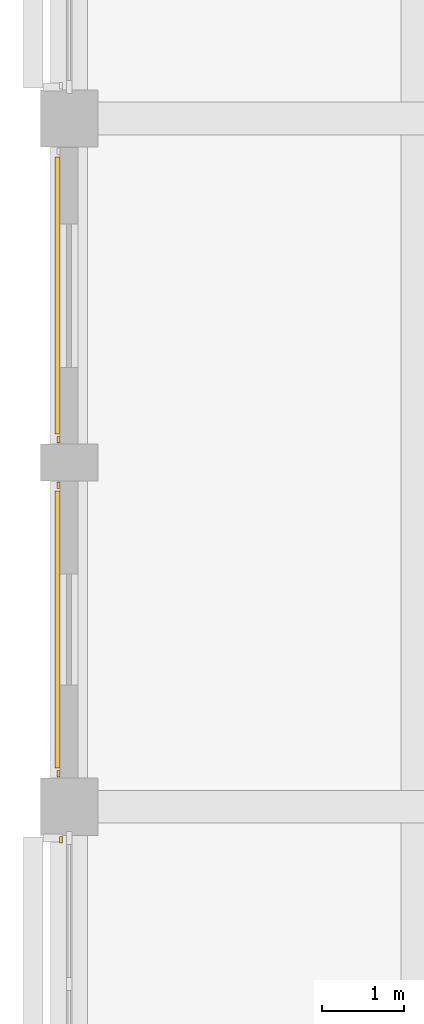
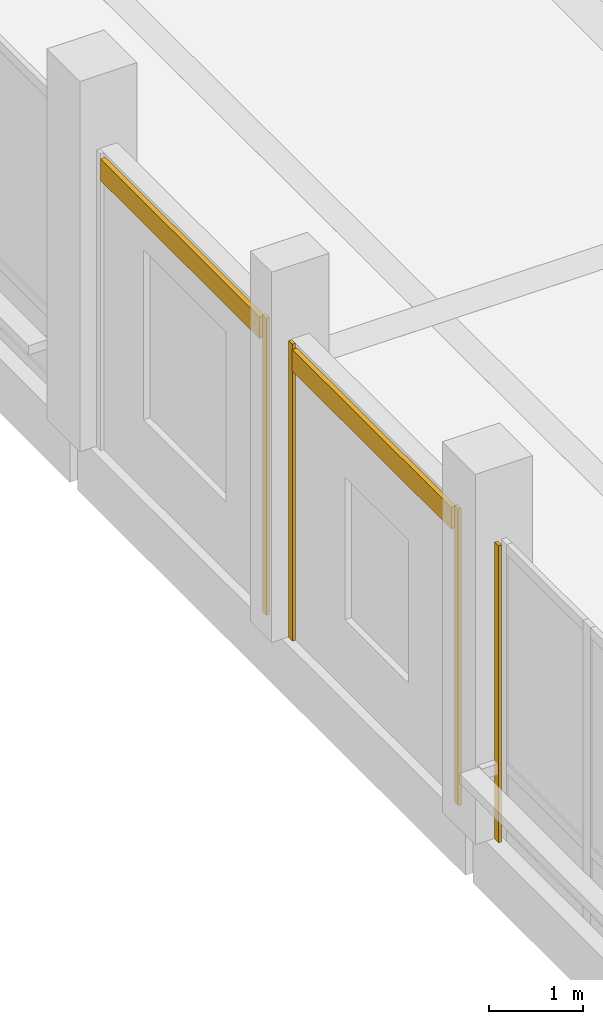
# One storey, part 98 of 128: 6 coverings.
"""IFC4 building model written with IfcOpenShell, lengths in metres."""

from ifc_helpers import new_model, si_unit, direction, frame, origin, origin_2d, place, context, subcontext, project, spatial, rectangle, extrude, material, layer, layer_set, type_object, element, save


model = new_model("IFC4")

# Units and contexts
model_context = context("Model", 3, precision=1e-05, world=origin(), true_north=direction((0.0, 1.0)))
body_context = subcontext(model_context, "Body", "Model", "MODEL_VIEW")
ifc_project = project(units=[si_unit("LENGTHUNIT", "METRE"), si_unit("AREAUNIT", "SQUARE_METRE"), si_unit("VOLUMEUNIT", "CUBIC_METRE"), si_unit("PLANEANGLEUNIT", "RADIAN"), si_unit("MASSUNIT", "GRAM", prefix="KILO")], contexts=[model_context])

# Site, building, storey
site_placement = place(None, origin())
site = spatial("IfcSite", under=ifc_project, at=site_placement, CompositionType="ELEMENT")
building_placement = place(site_placement, origin())
building = spatial("IfcBuilding", under=site, at=building_placement, Name="Telukmera Botanical Conservatory", CompositionType="ELEMENT")
storey_placement = place(building_placement, frame((0.0, 0.0, 5.39990234375)))
storey = spatial("IfcBuildingStorey", under=building, at=storey_placement, Name="L01", CompositionType="ELEMENT", Elevation=5.39990234375)

# Coverings
ifc_material_1 = material(Name="Granite-faced precast concrete C40/50", Category="masonry")
ifc_layer_1 = layer(ifc_material_1, 0.0400390625)
ifc_layer_set_1 = layer_set([ifc_layer_1], Name="Granite-faced precast concrete C40/50")
covering_type_1 = type_object("IfcCoveringType", Name="Granite Precast Column Pier Reveal Casing", PredefinedType="CLADDING", material=ifc_layer_set_1)
for number, where, z_axis, x_axis, name in (
    (1, (8.300048828125, 57.597900390625, 0.0), (0.0, 0.0, 1.0), (0.0, 1.0, 0.0), "Granite Pier Reveal V3:L01:W5B R"),
    (2, (8.27001953125, 58.402099609375, 0.0), (0.0, 0.0, 1.0), (0.0, 1.0, 0.0), "Granite Pier Reveal V3:L01:W6A L"),
    (3, (8.27001953125, 61.923095703125, 0.0), (0.0, 0.0, 1.0), (0.0, 1.0, 0.0), "Granite Pier Reveal V3:L01:W6A R"),
    (4, (8.27001953125, 62.47705078125, 0.0), (0.0, 0.0, 1.0), (0.0, 1.0, 0.0), "Granite Pier Reveal V3:L01:W6B L"),
):
    element("IfcCovering", number, at=place(storey_placement, frame(where, z_axis=z_axis, x_axis=x_axis)), inside=storey, type_object=covering_type_1, Name=name, PredefinedType="CLADDING", context=body_context, shape_type="SweptSolid", body=[
        extrude(rectangle(XDim=0.080078125, YDim=0.0400390625, at=origin_2d()), origin(), (0.0, 0.0, 1.0), 3.85009765625),
    ])
ifc_material_2 = material(Name="Terracotta-faced precast concrete C40/50", Category="masonry")
ifc_layer_2 = layer(ifc_material_2, 0.06005859375)
ifc_layer_set_2 = layer_set([ifc_layer_2], Name="Terracotta-faced precast concrete C40/50")
covering_type_2 = type_object("IfcCoveringType", Name="Polychrome Terracotta Facade Band Cladding", PredefinedType="CLADDING", material=ifc_layer_set_2)
for number, where, z_axis, x_axis, name in (
    (5, (8.260009765625, 60.16259765625, 3.5302734375), (0.0, 0.0, 1.0), (0.0, 1.0, 0.0), "Polychrome Terracotta Band V3:L01:W6A"),
    (6, (8.260009765625, 64.237548828125, 3.5302734375), (0.0, 0.0, 1.0), (0.0, 1.0, 0.0), "Polychrome Terracotta Band V3:L01:W6B"),
):
    element("IfcCovering", number, at=place(storey_placement, frame(where, z_axis=z_axis, x_axis=x_axis)), inside=storey, type_object=covering_type_2, Name=name, PredefinedType="CLADDING", context=body_context, shape_type="SweptSolid", body=[
        extrude(rectangle(XDim=3.381103515625, YDim=0.06005859375, at=origin_2d()), origin(), (0.0, 0.0, 1.0), 0.280029296875),
    ])

save(model, "model.ifc")
